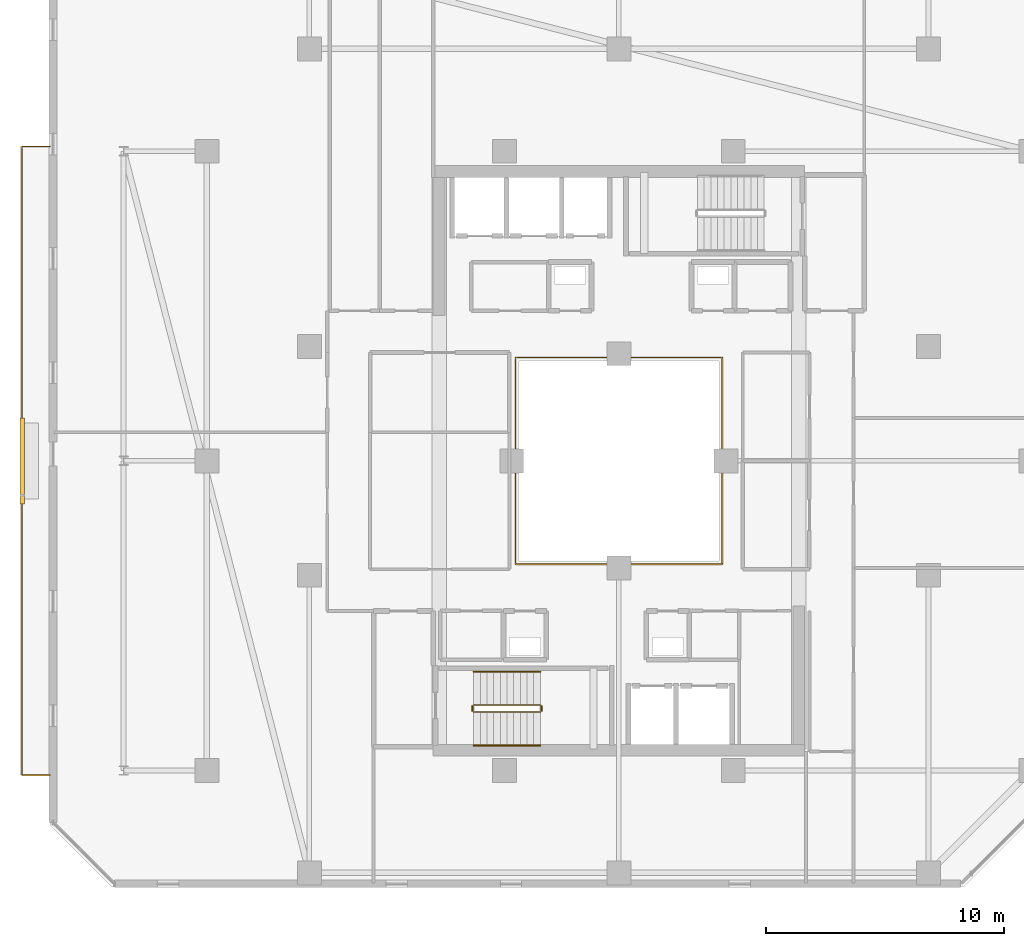
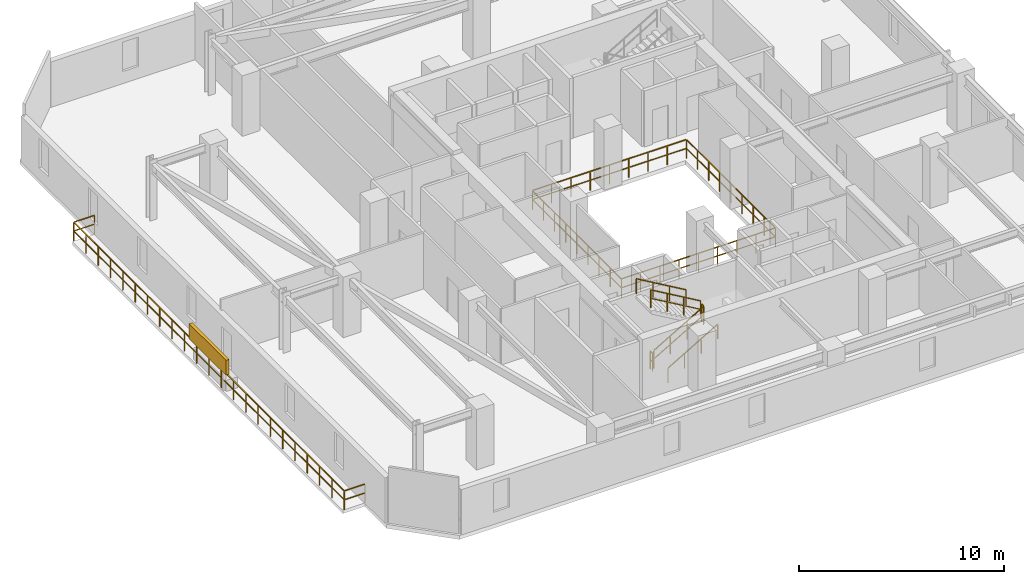
# One storey, part 30 of 33: 8 railings, 1 shading device.
"""IFC4 building model written with IfcOpenShell, lengths in metres."""

from ifc_helpers import new_model, si_unit, direction, frame, origin, origin_2d, place, context, subcontext, project, spatial, rectangle, extrude, material, type_object, element, save


model = new_model("IFC4")

# Units and contexts
model_context = context("Model", 3, precision=1e-05, world=origin(), true_north=direction((0.0, 1.0)))
body_context = subcontext(model_context, "Body", "Model", "MODEL_VIEW")
ifc_project = project(units=[si_unit("LENGTHUNIT", "METRE"), si_unit("AREAUNIT", "SQUARE_METRE"), si_unit("VOLUMEUNIT", "CUBIC_METRE"), si_unit("PLANEANGLEUNIT", "RADIAN"), si_unit("MASSUNIT", "GRAM", prefix="KILO")], contexts=[model_context])

# Site, building, storey
site_placement = place(None, origin())
site = spatial("IfcSite", under=ifc_project, at=site_placement, CompositionType="ELEMENT")
building_placement = place(site_placement, origin())
building = spatial("IfcBuilding", under=site, at=building_placement, Name="Thornwick Lancets Civic Towers", CompositionType="ELEMENT")
storey_placement = place(building_placement, frame((0.0, 0.0, 210.89990234375)))
storey = spatial("IfcBuildingStorey", under=building, at=storey_placement, Name="L56", CompositionType="ELEMENT", Elevation=210.89990234375)

# Railings
ifc_material_1 = material(Name="Laminated glass and bronze steel S355", Category="steel")
railing_type_1 = type_object("IfcRailingType", Name="RAIL_ATRIUM_GUARD", PredefinedType="BALUSTRADE", material=ifc_material_1)
railing_1_placement = place(storey_placement, frame((21.159912109375, 22.659912109375, 0.0)))
element("IfcRailing", 1, at=railing_1_placement, inside=storey, type_object=railing_type_1, Name="L56 Tower A Central Atrium Guard Balustrade", PredefinedType="BALUSTRADE", context=body_context, shape_type="SweptSolid", body=[
    extrude(rectangle(XDim=0.048095703125, YDim=0.048095703125, at=origin_2d()), frame((0.0, 0.0, 1.1259765625), z_axis=(1.0, 0.0, 0.0), x_axis=(0.0, 1.0, 0.0)), (0.0, 0.0, 1.0), 8.64892578125),
    extrude(rectangle(XDim=0.0419921875, YDim=0.0419921875, at=origin_2d()), frame((0.03759765625, 0.0, 0.597900390625), z_axis=(1.0, 0.0, 0.0), x_axis=(0.0, 1.0, 0.0)), (0.0, 0.0, 1.0), 1.010009765625),
    extrude(rectangle(XDim=0.0419921875, YDim=0.0419921875, at=origin_2d()), frame((1.12255859375, 0.0, 0.597900390625), z_axis=(1.0, 0.0, 0.0), x_axis=(0.0, 1.0, 0.0)), (0.0, 0.0, 1.0), 1.010009765625),
    extrude(rectangle(XDim=0.0419921875, YDim=0.0419921875, at=origin_2d()), frame((2.20751953125, 0.0, 0.597900390625), z_axis=(1.0, 0.0, 0.0), x_axis=(0.0, 1.0, 0.0)), (0.0, 0.0, 1.0), 1.010009765625),
    extrude(rectangle(XDim=0.0419921875, YDim=0.0419921875, at=origin_2d()), frame((3.29248046875, 0.0, 0.597900390625), z_axis=(1.0, 0.0, 0.0), x_axis=(0.0, 1.0, 0.0)), (0.0, 0.0, 1.0), 1.010009765625),
    extrude(rectangle(XDim=0.0419921875, YDim=0.0419921875, at=origin_2d()), frame((4.377685546875, 0.0, 0.597900390625), z_axis=(1.0, 0.0, 0.0), x_axis=(0.0, 1.0, 0.0)), (0.0, 0.0, 1.0), 1.010009765625),
    extrude(rectangle(XDim=0.0419921875, YDim=0.0419921875, at=origin_2d()), frame((5.462646484375, 0.0, 0.597900390625), z_axis=(1.0, 0.0, 0.0), x_axis=(0.0, 1.0, 0.0)), (0.0, 0.0, 1.0), 1.010009765625),
    extrude(rectangle(XDim=0.0419921875, YDim=0.0419921875, at=origin_2d()), frame((6.547607421875, 0.0, 0.597900390625), z_axis=(1.0, 0.0, 0.0), x_axis=(0.0, 1.0, 0.0)), (0.0, 0.0, 1.0), 1.010009765625),
    extrude(rectangle(XDim=0.0419921875, YDim=0.0419921875, at=origin_2d()), frame((7.632568359375, 0.0, 0.597900390625), z_axis=(1.0, 0.0, 0.0), x_axis=(0.0, 1.0, 0.0)), (0.0, 0.0, 1.0), 1.010009765625),
    extrude(rectangle(XDim=0.048095703125, YDim=0.048095703125, at=origin_2d()), frame((8.68017578125, 0.03125, 1.1259765625), z_axis=(0.0, 1.0, 0.0), x_axis=(-1.0, 0.0, 0.0)), (0.0, 0.0, 1.0), 8.61767578125),
    extrude(rectangle(XDim=0.0419921875, YDim=0.0419921875, at=origin_2d()), frame((8.68017578125, 0.03759765625, 0.597900390625), z_axis=(0.0, 1.0, 0.0), x_axis=(-1.0, 0.0, 0.0)), (0.0, 0.0, 1.0), 1.010009765625),
    extrude(rectangle(XDim=0.0419921875, YDim=0.0419921875, at=origin_2d()), frame((8.68017578125, 1.12255859375, 0.597900390625), z_axis=(0.0, 1.0, 0.0), x_axis=(-1.0, 0.0, 0.0)), (0.0, 0.0, 1.0), 1.010009765625),
    extrude(rectangle(XDim=0.0419921875, YDim=0.0419921875, at=origin_2d()), frame((8.68017578125, 2.20751953125, 0.597900390625), z_axis=(0.0, 1.0, 0.0), x_axis=(-1.0, 0.0, 0.0)), (0.0, 0.0, 1.0), 1.010009765625),
    extrude(rectangle(XDim=0.0419921875, YDim=0.0419921875, at=origin_2d()), frame((8.68017578125, 3.29248046875, 0.597900390625), z_axis=(0.0, 1.0, 0.0), x_axis=(-1.0, 0.0, 0.0)), (0.0, 0.0, 1.0), 1.010009765625),
    extrude(rectangle(XDim=0.0419921875, YDim=0.0419921875, at=origin_2d()), frame((8.68017578125, 4.377685546875, 0.597900390625), z_axis=(0.0, 1.0, 0.0), x_axis=(-1.0, 0.0, 0.0)), (0.0, 0.0, 1.0), 1.010009765625),
    extrude(rectangle(XDim=0.0419921875, YDim=0.0419921875, at=origin_2d()), frame((8.68017578125, 5.462646484375, 0.597900390625), z_axis=(0.0, 1.0, 0.0), x_axis=(-1.0, 0.0, 0.0)), (0.0, 0.0, 1.0), 1.010009765625),
    extrude(rectangle(XDim=0.0419921875, YDim=0.0419921875, at=origin_2d()), frame((8.68017578125, 6.547607421875, 0.597900390625), z_axis=(0.0, 1.0, 0.0), x_axis=(-1.0, 0.0, 0.0)), (0.0, 0.0, 1.0), 1.010009765625),
    extrude(rectangle(XDim=0.0419921875, YDim=0.0419921875, at=origin_2d()), frame((8.68017578125, 7.632568359375, 0.597900390625), z_axis=(0.0, 1.0, 0.0), x_axis=(-1.0, 0.0, 0.0)), (0.0, 0.0, 1.0), 1.010009765625),
    extrude(rectangle(XDim=0.048095703125, YDim=0.048095703125, at=origin_2d()), frame((8.64892578125, 8.68017578125, 1.1259765625), z_axis=(-1.0, 0.0, 0.0), x_axis=(0.0, -1.0, 0.0)), (0.0, 0.0, 1.0), 8.61767578125),
    extrude(rectangle(XDim=0.0419921875, YDim=0.0419921875, at=origin_2d()), frame((8.642578125, 8.68017578125, 0.597900390625), z_axis=(-1.0, 0.0, 0.0), x_axis=(0.0, -1.0, 0.0)), (0.0, 0.0, 1.0), 1.010009765625),
    extrude(rectangle(XDim=0.0419921875, YDim=0.0419921875, at=origin_2d()), frame((7.5576171875, 8.68017578125, 0.597900390625), z_axis=(-1.0, 0.0, 0.0), x_axis=(0.0, -1.0, 0.0)), (0.0, 0.0, 1.0), 1.010009765625),
    extrude(rectangle(XDim=0.0419921875, YDim=0.0419921875, at=origin_2d()), frame((6.47265625, 8.68017578125, 0.597900390625), z_axis=(-1.0, 0.0, 0.0), x_axis=(0.0, -1.0, 0.0)), (0.0, 0.0, 1.0), 1.010009765625),
    extrude(rectangle(XDim=0.0419921875, YDim=0.0419921875, at=origin_2d()), frame((5.3876953125, 8.68017578125, 0.597900390625), z_axis=(-1.0, 0.0, 0.0), x_axis=(0.0, -1.0, 0.0)), (0.0, 0.0, 1.0), 1.010009765625),
    extrude(rectangle(XDim=0.0419921875, YDim=0.0419921875, at=origin_2d()), frame((4.302490234375, 8.68017578125, 0.597900390625), z_axis=(-1.0, 0.0, 0.0), x_axis=(0.0, -1.0, 0.0)), (0.0, 0.0, 1.0), 1.010009765625),
    extrude(rectangle(XDim=0.0419921875, YDim=0.0419921875, at=origin_2d()), frame((3.217529296875, 8.68017578125, 0.597900390625), z_axis=(-1.0, 0.0, 0.0), x_axis=(0.0, -1.0, 0.0)), (0.0, 0.0, 1.0), 1.010009765625),
    extrude(rectangle(XDim=0.0419921875, YDim=0.0419921875, at=origin_2d()), frame((2.132568359375, 8.68017578125, 0.597900390625), z_axis=(-1.0, 0.0, 0.0), x_axis=(0.0, -1.0, 0.0)), (0.0, 0.0, 1.0), 1.010009765625),
    extrude(rectangle(XDim=0.0419921875, YDim=0.0419921875, at=origin_2d()), frame((1.047607421875, 8.68017578125, 0.597900390625), z_axis=(-1.0, 0.0, 0.0), x_axis=(0.0, -1.0, 0.0)), (0.0, 0.0, 1.0), 1.010009765625),
    extrude(rectangle(XDim=0.048095703125, YDim=0.048095703125, at=origin_2d()), frame((0.0, 8.64892578125, 1.1259765625), z_axis=(0.0, -1.0, 0.0), x_axis=(1.0, 0.0, 0.0)), (0.0, 0.0, 1.0), 8.64892578125),
    extrude(rectangle(XDim=0.0419921875, YDim=0.0419921875, at=origin_2d()), frame((0.0, 8.642578125, 0.597900390625), z_axis=(0.0, -1.0, 0.0), x_axis=(1.0, 0.0, 0.0)), (0.0, 0.0, 1.0), 1.010009765625),
    extrude(rectangle(XDim=0.0419921875, YDim=0.0419921875, at=origin_2d()), frame((0.0, 7.5576171875, 0.597900390625), z_axis=(0.0, -1.0, 0.0), x_axis=(1.0, 0.0, 0.0)), (0.0, 0.0, 1.0), 1.010009765625),
    extrude(rectangle(XDim=0.0419921875, YDim=0.0419921875, at=origin_2d()), frame((0.0, 6.47265625, 0.597900390625), z_axis=(0.0, -1.0, 0.0), x_axis=(1.0, 0.0, 0.0)), (0.0, 0.0, 1.0), 1.010009765625),
    extrude(rectangle(XDim=0.0419921875, YDim=0.0419921875, at=origin_2d()), frame((0.0, 5.3876953125, 0.597900390625), z_axis=(0.0, -1.0, 0.0), x_axis=(1.0, 0.0, 0.0)), (0.0, 0.0, 1.0), 1.010009765625),
    extrude(rectangle(XDim=0.0419921875, YDim=0.0419921875, at=origin_2d()), frame((0.0, 4.302490234375, 0.597900390625), z_axis=(0.0, -1.0, 0.0), x_axis=(1.0, 0.0, 0.0)), (0.0, 0.0, 1.0), 1.010009765625),
    extrude(rectangle(XDim=0.0419921875, YDim=0.0419921875, at=origin_2d()), frame((0.0, 3.217529296875, 0.597900390625), z_axis=(0.0, -1.0, 0.0), x_axis=(1.0, 0.0, 0.0)), (0.0, 0.0, 1.0), 1.010009765625),
    extrude(rectangle(XDim=0.0419921875, YDim=0.0419921875, at=origin_2d()), frame((0.0, 2.132568359375, 0.597900390625), z_axis=(0.0, -1.0, 0.0), x_axis=(1.0, 0.0, 0.0)), (0.0, 0.0, 1.0), 1.010009765625),
    extrude(rectangle(XDim=0.0419921875, YDim=0.0419921875, at=origin_2d()), frame((0.0, 1.047607421875, 0.597900390625), z_axis=(0.0, -1.0, 0.0), x_axis=(1.0, 0.0, 0.0)), (0.0, 0.0, 1.0), 1.010009765625),
    extrude(rectangle(XDim=0.0419921875, YDim=0.0419921875, at=origin_2d()), origin(), (0.0, 0.0, 1.0), 1.095703125),
    extrude(rectangle(XDim=0.0419921875, YDim=0.0419921875, at=origin_2d()), frame((1.0849609375, 0.0, 0.0)), (0.0, 0.0, 1.0), 1.095703125),
    extrude(rectangle(XDim=0.0419921875, YDim=0.0419921875, at=origin_2d()), frame((2.169921875, 0.0, 0.0)), (0.0, 0.0, 1.0), 1.095703125),
    extrude(rectangle(XDim=0.0419921875, YDim=0.0419921875, at=origin_2d()), frame((3.255126953125, 0.0, 0.0)), (0.0, 0.0, 1.0), 1.095703125),
    extrude(rectangle(XDim=0.0419921875, YDim=0.0419921875, at=origin_2d()), frame((4.340087890625, 0.0, 0.0)), (0.0, 0.0, 1.0), 1.095703125),
    extrude(rectangle(XDim=0.0419921875, YDim=0.0419921875, at=origin_2d()), frame((5.425048828125, 0.0, 0.0)), (0.0, 0.0, 1.0), 1.095703125),
    extrude(rectangle(XDim=0.0419921875, YDim=0.0419921875, at=origin_2d()), frame((6.51025390625, 0.0, 0.0)), (0.0, 0.0, 1.0), 1.095703125),
    extrude(rectangle(XDim=0.0419921875, YDim=0.0419921875, at=origin_2d()), frame((7.59521484375, 0.0, 0.0)), (0.0, 0.0, 1.0), 1.095703125),
    extrude(rectangle(XDim=0.0419921875, YDim=0.0419921875, at=origin_2d()), frame((8.68017578125, 0.0, 0.0)), (0.0, 0.0, 1.0), 1.095703125),
    extrude(rectangle(XDim=0.0419921875, YDim=0.0419921875, at=origin_2d()), frame((8.68017578125, 1.0849609375, 0.0)), (0.0, 0.0, 1.0), 1.095703125),
    extrude(rectangle(XDim=0.0419921875, YDim=0.0419921875, at=origin_2d()), frame((8.68017578125, 2.169921875, 0.0)), (0.0, 0.0, 1.0), 1.095703125),
    extrude(rectangle(XDim=0.0419921875, YDim=0.0419921875, at=origin_2d()), frame((8.68017578125, 3.255126953125, 0.0)), (0.0, 0.0, 1.0), 1.095703125),
    extrude(rectangle(XDim=0.0419921875, YDim=0.0419921875, at=origin_2d()), frame((8.68017578125, 4.340087890625, 0.0)), (0.0, 0.0, 1.0), 1.095703125),
    extrude(rectangle(XDim=0.0419921875, YDim=0.0419921875, at=origin_2d()), frame((8.68017578125, 5.425048828125, 0.0)), (0.0, 0.0, 1.0), 1.095703125),
    extrude(rectangle(XDim=0.0419921875, YDim=0.0419921875, at=origin_2d()), frame((8.68017578125, 6.51025390625, 0.0)), (0.0, 0.0, 1.0), 1.095703125),
    extrude(rectangle(XDim=0.0419921875, YDim=0.0419921875, at=origin_2d()), frame((8.68017578125, 7.59521484375, 0.0)), (0.0, 0.0, 1.0), 1.095703125),
    extrude(rectangle(XDim=0.0419921875, YDim=0.0419921875, at=origin_2d()), frame((8.68017578125, 8.68017578125, 0.0)), (0.0, 0.0, 1.0), 1.095703125),
    extrude(rectangle(XDim=0.0419921875, YDim=0.0419921875, at=origin_2d()), frame((7.59521484375, 8.68017578125, 0.0)), (0.0, 0.0, 1.0), 1.095703125),
    extrude(rectangle(XDim=0.0419921875, YDim=0.0419921875, at=origin_2d()), frame((6.51025390625, 8.68017578125, 0.0)), (0.0, 0.0, 1.0), 1.095703125),
    extrude(rectangle(XDim=0.0419921875, YDim=0.0419921875, at=origin_2d()), frame((5.425048828125, 8.68017578125, 0.0)), (0.0, 0.0, 1.0), 1.095703125),
    extrude(rectangle(XDim=0.0419921875, YDim=0.0419921875, at=origin_2d()), frame((4.340087890625, 8.68017578125, 0.0)), (0.0, 0.0, 1.0), 1.095703125),
    extrude(rectangle(XDim=0.0419921875, YDim=0.0419921875, at=origin_2d()), frame((3.255126953125, 8.68017578125, 0.0)), (0.0, 0.0, 1.0), 1.095703125),
    extrude(rectangle(XDim=0.0419921875, YDim=0.0419921875, at=origin_2d()), frame((2.169921875, 8.68017578125, 0.0)), (0.0, 0.0, 1.0), 1.095703125),
    extrude(rectangle(XDim=0.0419921875, YDim=0.0419921875, at=origin_2d()), frame((1.0849609375, 8.68017578125, 0.0)), (0.0, 0.0, 1.0), 1.095703125),
    extrude(rectangle(XDim=0.0419921875, YDim=0.0419921875, at=origin_2d()), frame((0.0, 8.68017578125, 0.0)), (0.0, 0.0, 1.0), 1.095703125),
    extrude(rectangle(XDim=0.0419921875, YDim=0.0419921875, at=origin_2d()), frame((0.0, 7.59521484375, 0.0)), (0.0, 0.0, 1.0), 1.095703125),
    extrude(rectangle(XDim=0.0419921875, YDim=0.0419921875, at=origin_2d()), frame((0.0, 6.51025390625, 0.0)), (0.0, 0.0, 1.0), 1.095703125),
    extrude(rectangle(XDim=0.0419921875, YDim=0.0419921875, at=origin_2d()), frame((0.0, 5.425048828125, 0.0)), (0.0, 0.0, 1.0), 1.095703125),
    extrude(rectangle(XDim=0.0419921875, YDim=0.0419921875, at=origin_2d()), frame((0.0, 4.340087890625, 0.0)), (0.0, 0.0, 1.0), 1.095703125),
    extrude(rectangle(XDim=0.0419921875, YDim=0.0419921875, at=origin_2d()), frame((0.0, 3.255126953125, 0.0)), (0.0, 0.0, 1.0), 1.095703125),
    extrude(rectangle(XDim=0.0419921875, YDim=0.0419921875, at=origin_2d()), frame((0.0, 2.169921875, 0.0)), (0.0, 0.0, 1.0), 1.095703125),
    extrude(rectangle(XDim=0.0419921875, YDim=0.0419921875, at=origin_2d()), frame((0.0, 1.0849609375, 0.0)), (0.0, 0.0, 1.0), 1.095703125),
])
ifc_material_2 = material(Name="Brushed stainless steel S355", Category="steel")
railing_type_2 = type_object("IfcRailingType", Name="RAIL_HANDRAIL", PredefinedType="HANDRAIL", material=ifc_material_2)
railing_2_placement = place(storey_placement, frame((19.39990234375, 15.050048828125, 0.163818359375)))
element("IfcRailing", 2, at=railing_2_placement, inside=storey, type_object=railing_type_2, Name="L56 ST-A1 stair handrail 1", PredefinedType="HANDRAIL", context=body_context, shape_type="SweptSolid", body=[
    extrude(rectangle(XDim=0.048095703125, YDim=0.048095703125, at=origin_2d()), frame((0.0, 0.0, 0.8857421875), z_axis=(0.863393664356, 0.0, 0.504530851732), x_axis=(0.0, 1.0, 0.0)), (0.0, 0.0, 1.0), 3.2431640625),
    extrude(rectangle(XDim=0.0419921875, YDim=0.0419921875, at=origin_2d()), origin(), (0.0, 0.0, 1.0), 0.855712890625),
    extrude(rectangle(XDim=0.0419921875, YDim=0.0419921875, at=origin_2d()), frame((0.933349609375, 0.0, 0.54541015625)), (0.0, 0.0, 1.0), 0.855712890625),
    extrude(rectangle(XDim=0.0419921875, YDim=0.0419921875, at=origin_2d()), frame((1.86669921875, 0.0, 1.0908203125)), (0.0, 0.0, 1.0), 0.855712890625),
    extrude(rectangle(XDim=0.0419921875, YDim=0.0419921875, at=origin_2d()), frame((2.800048828125, 0.0, 1.63623046875)), (0.0, 0.0, 1.0), 0.855712890625),
])
railing_3_placement = place(storey_placement, frame((22.199951171875, 18.14990234375, 1.963623046875)))
element("IfcRailing", 3, at=railing_3_placement, inside=storey, type_object=railing_type_2, Name="L56 ST-A1 stair handrail 2", PredefinedType="HANDRAIL", context=body_context, shape_type="SweptSolid", body=[
    extrude(rectangle(XDim=0.048095703125, YDim=0.048095703125, at=origin_2d()), frame((0.0, 0.0, 0.8857421875), z_axis=(-0.863360870873, 0.0, 0.504586966384), x_axis=(0.0, -1.0, 0.0)), (0.0, 0.0, 1.0), 3.2431640625),
    extrude(rectangle(XDim=0.0419921875, YDim=0.0419921875, at=origin_2d()), origin(), (0.0, 0.0, 1.0), 0.855712890625),
    extrude(rectangle(XDim=0.0419921875, YDim=0.0419921875, at=origin_2d()), frame((-0.933349609375, 0.0, 0.54541015625)), (0.0, 0.0, 1.0), 0.855712890625),
    extrude(rectangle(XDim=0.0419921875, YDim=0.0419921875, at=origin_2d()), frame((-1.86669921875, 0.0, 1.091064453125)), (0.0, 0.0, 1.0), 0.855712890625),
    extrude(rectangle(XDim=0.0419921875, YDim=0.0419921875, at=origin_2d()), frame((-2.800048828125, 0.0, 1.636474609375)), (0.0, 0.0, 1.0), 0.855712890625),
])
ifc_material_3 = material(Name="Steel S355JR", Category="steel")
railing_type_3 = type_object("IfcRailingType", Name="RAIL_STAIR_GUARD", PredefinedType="GUARDRAIL", material=ifc_material_3)
railing_4_placement = place(storey_placement, frame((19.39990234375, 16.449951171875, 0.163818359375)))
element("IfcRailing", 4, at=railing_4_placement, inside=storey, type_object=railing_type_3, Name="L56 ST-A1 stair guard 1", PredefinedType="GUARDRAIL", context=body_context, shape_type="SweptSolid", body=[
    extrude(rectangle(XDim=0.048095703125, YDim=0.048095703125, at=origin_2d()), frame((0.0, 0.0, 1.076171875), z_axis=(0.863393664356, 0.0, 0.504530851732), x_axis=(0.0, 1.0, 0.0)), (0.0, 0.0, 1.0), 3.2431640625),
    extrude(rectangle(XDim=0.0419921875, YDim=0.0419921875, at=origin_2d()), frame((0.032470703125, 0.0, 0.591064453125), z_axis=(0.863393664356, 0.0, 0.504530851732), x_axis=(0.0, 1.0, 0.0)), (0.0, 0.0, 1.0), 1.006103515625),
    extrude(rectangle(XDim=0.0419921875, YDim=0.0419921875, at=origin_2d()), frame((0.9658203125, 0.0, 1.136474609375), z_axis=(0.863393664356, 0.0, 0.504530851732), x_axis=(0.0, 1.0, 0.0)), (0.0, 0.0, 1.0), 1.006103515625),
    extrude(rectangle(XDim=0.0419921875, YDim=0.0419921875, at=origin_2d()), frame((1.899169921875, 0.0, 1.681884765625), z_axis=(0.863393664356, 0.0, 0.504530851732), x_axis=(0.0, 1.0, 0.0)), (0.0, 0.0, 1.0), 1.006103515625),
    extrude(rectangle(XDim=0.0419921875, YDim=0.0419921875, at=origin_2d()), origin(), (0.0, 0.0, 1.0), 1.0458984375),
    extrude(rectangle(XDim=0.0419921875, YDim=0.0419921875, at=origin_2d()), frame((0.933349609375, 0.0, 0.54541015625)), (0.0, 0.0, 1.0), 1.0458984375),
    extrude(rectangle(XDim=0.0419921875, YDim=0.0419921875, at=origin_2d()), frame((1.86669921875, 0.0, 1.0908203125)), (0.0, 0.0, 1.0), 1.0458984375),
    extrude(rectangle(XDim=0.0419921875, YDim=0.0419921875, at=origin_2d()), frame((2.800048828125, 0.0, 1.63623046875)), (0.0, 0.0, 1.0), 1.0458984375),
])
railing_5_placement = place(storey_placement, frame((22.25, 16.5, 1.800048828125)))
element("IfcRailing", 5, at=railing_5_placement, inside=storey, type_object=railing_type_3, Name="L56 ST-A1 stair guard 2", PredefinedType="GUARDRAIL", context=body_context, shape_type="SweptSolid", body=[
    extrude(rectangle(XDim=0.048095703125, YDim=0.048095703125, at=origin_2d()), frame((0.0, 0.0, 1.076171875), z_axis=(0.0, 1.0, 0.0), x_axis=(-1.0, 0.0, 0.0)), (0.0, 0.0, 1.0), 0.199951171875),
    extrude(rectangle(XDim=0.0419921875, YDim=0.0419921875, at=origin_2d()), frame((0.0, 0.03759765625, 0.572021484375), z_axis=(0.0, 1.0, 0.0), x_axis=(-1.0, 0.0, 0.0)), (0.0, 0.0, 1.0), 0.125),
    extrude(rectangle(XDim=0.0419921875, YDim=0.0419921875, at=origin_2d()), origin(), (0.0, 0.0, 1.0), 1.0458984375),
    extrude(rectangle(XDim=0.0419921875, YDim=0.0419921875, at=origin_2d()), frame((0.0, 0.199951171875, 0.0)), (0.0, 0.0, 1.0), 1.0458984375),
])
railing_6_placement = place(storey_placement, frame((22.199951171875, 16.75, 1.963623046875)))
element("IfcRailing", 6, at=railing_6_placement, inside=storey, type_object=railing_type_3, Name="L56 ST-A1 stair guard 3", PredefinedType="GUARDRAIL", context=body_context, shape_type="SweptSolid", body=[
    extrude(rectangle(XDim=0.048095703125, YDim=0.048095703125, at=origin_2d()), frame((0.0, 0.0, 1.076171875), z_axis=(-0.863360870873, 0.0, 0.504586966384), x_axis=(0.0, -1.0, 0.0)), (0.0, 0.0, 1.0), 3.2431640625),
    extrude(rectangle(XDim=0.0419921875, YDim=0.0419921875, at=origin_2d()), frame((-0.032470703125, 0.0, 0.591064453125), z_axis=(-0.863360870873, 0.0, 0.504586966384), x_axis=(0.0, -1.0, 0.0)), (0.0, 0.0, 1.0), 1.006103515625),
    extrude(rectangle(XDim=0.0419921875, YDim=0.0419921875, at=origin_2d()), frame((-0.9658203125, 0.0, 1.136474609375), z_axis=(-0.863360870873, 0.0, 0.504586966384), x_axis=(0.0, -1.0, 0.0)), (0.0, 0.0, 1.0), 1.006103515625),
    extrude(rectangle(XDim=0.0419921875, YDim=0.0419921875, at=origin_2d()), frame((-1.899169921875, 0.0, 1.681884765625), z_axis=(-0.863360870873, 0.0, 0.504586966384), x_axis=(0.0, -1.0, 0.0)), (0.0, 0.0, 1.0), 1.006103515625),
    extrude(rectangle(XDim=0.0419921875, YDim=0.0419921875, at=origin_2d()), origin(), (0.0, 0.0, 1.0), 1.0458984375),
    extrude(rectangle(XDim=0.0419921875, YDim=0.0419921875, at=origin_2d()), frame((-0.933349609375, 0.0, 0.54541015625)), (0.0, 0.0, 1.0), 1.0458984375),
    extrude(rectangle(XDim=0.0419921875, YDim=0.0419921875, at=origin_2d()), frame((-1.86669921875, 0.0, 1.091064453125)), (0.0, 0.0, 1.0), 1.0458984375),
    extrude(rectangle(XDim=0.0419921875, YDim=0.0419921875, at=origin_2d()), frame((-2.800048828125, 0.0, 1.636474609375)), (0.0, 0.0, 1.0), 1.0458984375),
])
railing_7_placement = place(storey_placement, frame((19.35009765625, 16.5, 0.0)))
element("IfcRailing", 7, at=railing_7_placement, inside=storey, type_object=railing_type_3, Name="L56 ST-A1 stair guard 4", PredefinedType="GUARDRAIL", context=body_context, shape_type="SweptSolid", body=[
    extrude(rectangle(XDim=0.048095703125, YDim=0.048095703125, at=origin_2d()), frame((0.0, 0.0, 1.076171875), z_axis=(0.0, 1.0, 0.0), x_axis=(-1.0, 0.0, 0.0)), (0.0, 0.0, 1.0), 0.199951171875),
    extrude(rectangle(XDim=0.0419921875, YDim=0.0419921875, at=origin_2d()), frame((0.0, 0.03759765625, 0.572021484375), z_axis=(0.0, 1.0, 0.0), x_axis=(-1.0, 0.0, 0.0)), (0.0, 0.0, 1.0), 0.125),
    extrude(rectangle(XDim=0.0419921875, YDim=0.0419921875, at=origin_2d()), origin(), (0.0, 0.0, 1.0), 1.0458984375),
    extrude(rectangle(XDim=0.0419921875, YDim=0.0419921875, at=origin_2d()), frame((0.0, 0.199951171875, 0.0)), (0.0, 0.0, 1.0), 1.0458984375),
])
ifc_material_4 = material(Name="Terracotta-capped laminated glass balustrade S355", Category="masonry")
railing_type_4 = type_object("IfcRailingType", Name="RAIL_TERR_GUARD", PredefinedType="GUARDRAIL", material=ifc_material_4)
railing_8_placement = place(storey_placement, frame((1.60009765625, 13.800048828125, 0.0)))
element("IfcRailing", 8, at=railing_8_placement, inside=storey, type_object=railing_type_4, Name="L56 Tower A Balcony Guard W", PredefinedType="GUARDRAIL", context=body_context, shape_type="SweptSolid", body=[
    extrude(rectangle(XDim=0.048095703125, YDim=0.048095703125, at=origin_2d()), frame((0.0, 0.0, 1.1259765625), z_axis=(-1.0, 0.0, 0.0), x_axis=(0.0, -1.0, 0.0)), (0.0, 0.0, 1.0), 1.138916015625),
    extrude(rectangle(XDim=0.0419921875, YDim=0.0419921875, at=origin_2d()), frame((-0.03759765625, 0.0, 0.597900390625), z_axis=(-1.0, 0.0, 0.0), x_axis=(0.0, -1.0, 0.0)), (0.0, 0.0, 1.0), 1.09521484375),
    extrude(rectangle(XDim=0.048095703125, YDim=0.048095703125, at=origin_2d()), frame((-1.170166015625, 0.03125, 1.1259765625), z_axis=(0.0, 1.0, 0.0), x_axis=(-1.0, 0.0, 0.0)), (0.0, 0.0, 1.0), 26.33740234375),
    extrude(rectangle(XDim=0.0419921875, YDim=0.0419921875, at=origin_2d()), frame((-1.170166015625, 0.03759765625, 0.597900390625), z_axis=(0.0, 1.0, 0.0), x_axis=(-1.0, 0.0, 0.0)), (0.0, 0.0, 1.0), 1.125),
    extrude(rectangle(XDim=0.0419921875, YDim=0.0419921875, at=origin_2d()), frame((-1.170166015625, 1.237548828125, 0.597900390625), z_axis=(0.0, 1.0, 0.0), x_axis=(-1.0, 0.0, 0.0)), (0.0, 0.0, 1.0), 1.125),
    extrude(rectangle(XDim=0.0419921875, YDim=0.0419921875, at=origin_2d()), frame((-1.170166015625, 2.4375, 0.597900390625), z_axis=(0.0, 1.0, 0.0), x_axis=(-1.0, 0.0, 0.0)), (0.0, 0.0, 1.0), 1.125),
    extrude(rectangle(XDim=0.0419921875, YDim=0.0419921875, at=origin_2d()), frame((-1.170166015625, 3.637451171875, 0.597900390625), z_axis=(0.0, 1.0, 0.0), x_axis=(-1.0, 0.0, 0.0)), (0.0, 0.0, 1.0), 1.125),
    extrude(rectangle(XDim=0.0419921875, YDim=0.0419921875, at=origin_2d()), frame((-1.170166015625, 4.83740234375, 0.597900390625), z_axis=(0.0, 1.0, 0.0), x_axis=(-1.0, 0.0, 0.0)), (0.0, 0.0, 1.0), 1.125),
    extrude(rectangle(XDim=0.0419921875, YDim=0.0419921875, at=origin_2d()), frame((-1.170166015625, 6.037353515625, 0.597900390625), z_axis=(0.0, 1.0, 0.0), x_axis=(-1.0, 0.0, 0.0)), (0.0, 0.0, 1.0), 1.125),
    extrude(rectangle(XDim=0.0419921875, YDim=0.0419921875, at=origin_2d()), frame((-1.170166015625, 7.237548828125, 0.597900390625), z_axis=(0.0, 1.0, 0.0), x_axis=(-1.0, 0.0, 0.0)), (0.0, 0.0, 1.0), 1.125),
    extrude(rectangle(XDim=0.0419921875, YDim=0.0419921875, at=origin_2d()), frame((-1.170166015625, 8.4375, 0.597900390625), z_axis=(0.0, 1.0, 0.0), x_axis=(-1.0, 0.0, 0.0)), (0.0, 0.0, 1.0), 1.125),
    extrude(rectangle(XDim=0.0419921875, YDim=0.0419921875, at=origin_2d()), frame((-1.170166015625, 9.637451171875, 0.597900390625), z_axis=(0.0, 1.0, 0.0), x_axis=(-1.0, 0.0, 0.0)), (0.0, 0.0, 1.0), 1.125),
    extrude(rectangle(XDim=0.0419921875, YDim=0.0419921875, at=origin_2d()), frame((-1.170166015625, 10.83740234375, 0.597900390625), z_axis=(0.0, 1.0, 0.0), x_axis=(-1.0, 0.0, 0.0)), (0.0, 0.0, 1.0), 1.125),
    extrude(rectangle(XDim=0.0419921875, YDim=0.0419921875, at=origin_2d()), frame((-1.170166015625, 12.037353515625, 0.597900390625), z_axis=(0.0, 1.0, 0.0), x_axis=(-1.0, 0.0, 0.0)), (0.0, 0.0, 1.0), 1.125),
    extrude(rectangle(XDim=0.0419921875, YDim=0.0419921875, at=origin_2d()), frame((-1.170166015625, 13.237548828125, 0.597900390625), z_axis=(0.0, 1.0, 0.0), x_axis=(-1.0, 0.0, 0.0)), (0.0, 0.0, 1.0), 1.125),
    extrude(rectangle(XDim=0.0419921875, YDim=0.0419921875, at=origin_2d()), frame((-1.170166015625, 14.4375, 0.597900390625), z_axis=(0.0, 1.0, 0.0), x_axis=(-1.0, 0.0, 0.0)), (0.0, 0.0, 1.0), 1.125),
    extrude(rectangle(XDim=0.0419921875, YDim=0.0419921875, at=origin_2d()), frame((-1.170166015625, 15.637451171875, 0.597900390625), z_axis=(0.0, 1.0, 0.0), x_axis=(-1.0, 0.0, 0.0)), (0.0, 0.0, 1.0), 1.125),
    extrude(rectangle(XDim=0.0419921875, YDim=0.0419921875, at=origin_2d()), frame((-1.170166015625, 16.83740234375, 0.597900390625), z_axis=(0.0, 1.0, 0.0), x_axis=(-1.0, 0.0, 0.0)), (0.0, 0.0, 1.0), 1.125),
    extrude(rectangle(XDim=0.0419921875, YDim=0.0419921875, at=origin_2d()), frame((-1.170166015625, 18.037353515625, 0.597900390625), z_axis=(0.0, 1.0, 0.0), x_axis=(-1.0, 0.0, 0.0)), (0.0, 0.0, 1.0), 1.125),
    extrude(rectangle(XDim=0.0419921875, YDim=0.0419921875, at=origin_2d()), frame((-1.170166015625, 19.2373046875, 0.597900390625), z_axis=(0.0, 1.0, 0.0), x_axis=(-1.0, 0.0, 0.0)), (0.0, 0.0, 1.0), 1.125),
    extrude(rectangle(XDim=0.0419921875, YDim=0.0419921875, at=origin_2d()), frame((-1.170166015625, 20.4375, 0.597900390625), z_axis=(0.0, 1.0, 0.0), x_axis=(-1.0, 0.0, 0.0)), (0.0, 0.0, 1.0), 1.125),
    extrude(rectangle(XDim=0.0419921875, YDim=0.0419921875, at=origin_2d()), frame((-1.170166015625, 21.637451171875, 0.597900390625), z_axis=(0.0, 1.0, 0.0), x_axis=(-1.0, 0.0, 0.0)), (0.0, 0.0, 1.0), 1.125),
    extrude(rectangle(XDim=0.0419921875, YDim=0.0419921875, at=origin_2d()), frame((-1.170166015625, 22.83740234375, 0.597900390625), z_axis=(0.0, 1.0, 0.0), x_axis=(-1.0, 0.0, 0.0)), (0.0, 0.0, 1.0), 1.125),
    extrude(rectangle(XDim=0.0419921875, YDim=0.0419921875, at=origin_2d()), frame((-1.170166015625, 24.037353515625, 0.597900390625), z_axis=(0.0, 1.0, 0.0), x_axis=(-1.0, 0.0, 0.0)), (0.0, 0.0, 1.0), 1.125),
    extrude(rectangle(XDim=0.0419921875, YDim=0.0419921875, at=origin_2d()), frame((-1.170166015625, 25.2373046875, 0.597900390625), z_axis=(0.0, 1.0, 0.0), x_axis=(-1.0, 0.0, 0.0)), (0.0, 0.0, 1.0), 1.125),
    extrude(rectangle(XDim=0.048095703125, YDim=0.048095703125, at=origin_2d()), frame((-1.138916015625, 26.39990234375, 1.1259765625), z_axis=(1.0, 0.0, 0.0), x_axis=(0.0, 1.0, 0.0)), (0.0, 0.0, 1.0), 1.138916015625),
    extrude(rectangle(XDim=0.0419921875, YDim=0.0419921875, at=origin_2d()), frame((-1.132568359375, 26.39990234375, 0.597900390625), z_axis=(1.0, 0.0, 0.0), x_axis=(0.0, 1.0, 0.0)), (0.0, 0.0, 1.0), 1.09521484375),
    extrude(rectangle(XDim=0.0419921875, YDim=0.0419921875, at=origin_2d()), origin(), (0.0, 0.0, 1.0), 1.095703125),
    extrude(rectangle(XDim=0.0419921875, YDim=0.0419921875, at=origin_2d()), frame((-1.170166015625, 0.0, 0.0)), (0.0, 0.0, 1.0), 1.095703125),
    extrude(rectangle(XDim=0.0419921875, YDim=0.0419921875, at=origin_2d()), frame((-1.170166015625, 1.199951171875, 0.0)), (0.0, 0.0, 1.0), 1.095703125),
    extrude(rectangle(XDim=0.0419921875, YDim=0.0419921875, at=origin_2d()), frame((-1.170166015625, 2.39990234375, 0.0)), (0.0, 0.0, 1.0), 1.095703125),
    extrude(rectangle(XDim=0.0419921875, YDim=0.0419921875, at=origin_2d()), frame((-1.170166015625, 3.60009765625, 0.0)), (0.0, 0.0, 1.0), 1.095703125),
    extrude(rectangle(XDim=0.0419921875, YDim=0.0419921875, at=origin_2d()), frame((-1.170166015625, 4.800048828125, 0.0)), (0.0, 0.0, 1.0), 1.095703125),
    extrude(rectangle(XDim=0.0419921875, YDim=0.0419921875, at=origin_2d()), frame((-1.170166015625, 6.0, 0.0)), (0.0, 0.0, 1.0), 1.095703125),
    extrude(rectangle(XDim=0.0419921875, YDim=0.0419921875, at=origin_2d()), frame((-1.170166015625, 7.199951171875, 0.0)), (0.0, 0.0, 1.0), 1.095703125),
    extrude(rectangle(XDim=0.0419921875, YDim=0.0419921875, at=origin_2d()), frame((-1.170166015625, 8.39990234375, 0.0)), (0.0, 0.0, 1.0), 1.095703125),
    extrude(rectangle(XDim=0.0419921875, YDim=0.0419921875, at=origin_2d()), frame((-1.170166015625, 9.599853515625, 0.0)), (0.0, 0.0, 1.0), 1.095703125),
    extrude(rectangle(XDim=0.0419921875, YDim=0.0419921875, at=origin_2d()), frame((-1.170166015625, 10.800048828125, 0.0)), (0.0, 0.0, 1.0), 1.095703125),
    extrude(rectangle(XDim=0.0419921875, YDim=0.0419921875, at=origin_2d()), frame((-1.170166015625, 12.0, 0.0)), (0.0, 0.0, 1.0), 1.095703125),
    extrude(rectangle(XDim=0.0419921875, YDim=0.0419921875, at=origin_2d()), frame((-1.170166015625, 13.199951171875, 0.0)), (0.0, 0.0, 1.0), 1.095703125),
    extrude(rectangle(XDim=0.0419921875, YDim=0.0419921875, at=origin_2d()), frame((-1.170166015625, 14.39990234375, 0.0)), (0.0, 0.0, 1.0), 1.095703125),
    extrude(rectangle(XDim=0.0419921875, YDim=0.0419921875, at=origin_2d()), frame((-1.170166015625, 15.599853515625, 0.0)), (0.0, 0.0, 1.0), 1.095703125),
    extrude(rectangle(XDim=0.0419921875, YDim=0.0419921875, at=origin_2d()), frame((-1.170166015625, 16.800048828125, 0.0)), (0.0, 0.0, 1.0), 1.095703125),
    extrude(rectangle(XDim=0.0419921875, YDim=0.0419921875, at=origin_2d()), frame((-1.170166015625, 18.0, 0.0)), (0.0, 0.0, 1.0), 1.095703125),
    extrude(rectangle(XDim=0.0419921875, YDim=0.0419921875, at=origin_2d()), frame((-1.170166015625, 19.199951171875, 0.0)), (0.0, 0.0, 1.0), 1.095703125),
    extrude(rectangle(XDim=0.0419921875, YDim=0.0419921875, at=origin_2d()), frame((-1.170166015625, 20.39990234375, 0.0)), (0.0, 0.0, 1.0), 1.095703125),
    extrude(rectangle(XDim=0.0419921875, YDim=0.0419921875, at=origin_2d()), frame((-1.170166015625, 21.599853515625, 0.0)), (0.0, 0.0, 1.0), 1.095703125),
    extrude(rectangle(XDim=0.0419921875, YDim=0.0419921875, at=origin_2d()), frame((-1.170166015625, 22.7998046875, 0.0)), (0.0, 0.0, 1.0), 1.095703125),
    extrude(rectangle(XDim=0.0419921875, YDim=0.0419921875, at=origin_2d()), frame((-1.170166015625, 24.0, 0.0)), (0.0, 0.0, 1.0), 1.095703125),
    extrude(rectangle(XDim=0.0419921875, YDim=0.0419921875, at=origin_2d()), frame((-1.170166015625, 25.199951171875, 0.0)), (0.0, 0.0, 1.0), 1.095703125),
    extrude(rectangle(XDim=0.0419921875, YDim=0.0419921875, at=origin_2d()), frame((-1.170166015625, 26.39990234375, 0.0)), (0.0, 0.0, 1.0), 1.095703125),
    extrude(rectangle(XDim=0.0419921875, YDim=0.0419921875, at=origin_2d()), frame((0.0, 26.39990234375, 0.0)), (0.0, 0.0, 1.0), 1.095703125),
])

# Shading device
ifc_material_5 = material(Name="Extruded terracotta baguette solar screen", Category="masonry")
shading_device_type = type_object("IfcShadingDeviceType", Name="SHADE_BAGUETTE", PredefinedType="JALOUSIE", material=ifc_material_5)
shading_device_placement = place(storey_placement, frame((0.43994140625, 27.0, 1.1201171875), z_axis=(0.0, 0.0, 1.0), x_axis=(0.0, 1.0, 0.0)))
element("IfcShadingDevice", 9, at=shading_device_placement, inside=storey, type_object=shading_device_type, Name="L56 Tower A Terracotta Baguette Screen W", PredefinedType="JALOUSIE", context=body_context, shape_type="SweptSolid", body=[
    extrude(rectangle(XDim=3.60009765625, YDim=0.179931640625, at=origin_2d()), origin(), (0.0, 0.0, 1.0), 0.89990234375),
])

save(model, "model.ifc")
